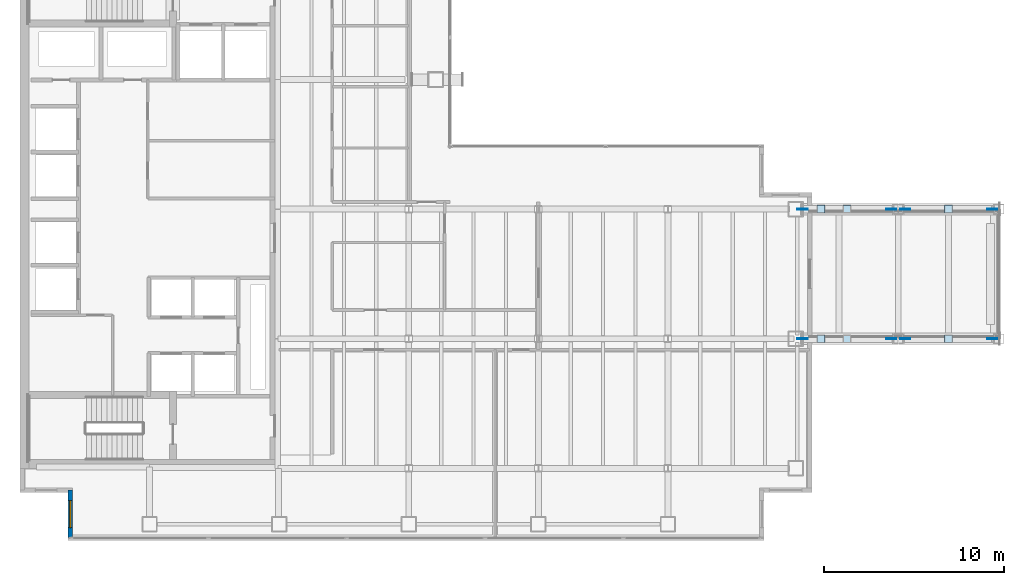
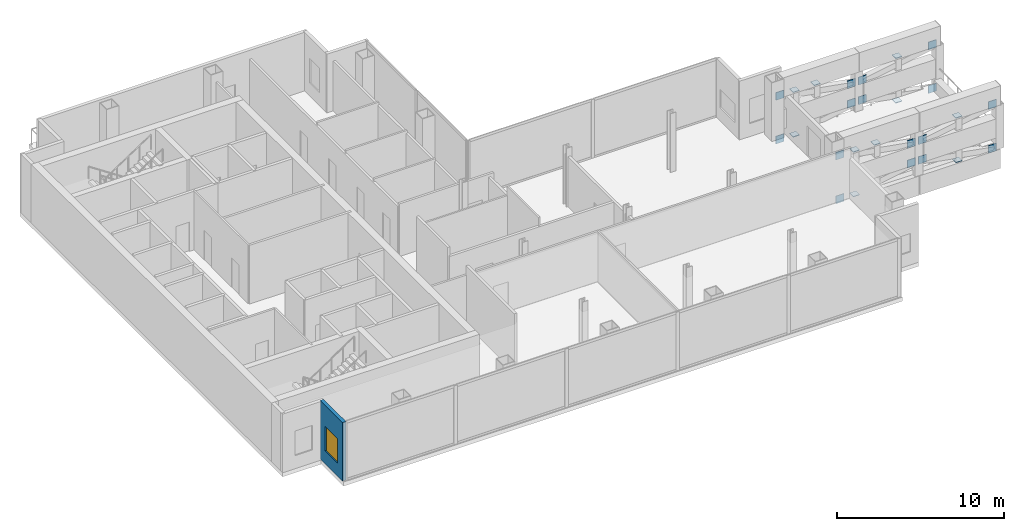
# One storey, part 15 of 20: 26 plates, 1 wall, 1 window, 1 opening.
"""IFC4 building model written with IfcOpenShell, lengths in metres."""

from ifc_helpers import new_model, si_unit, direction, frame, frame_2d, origin, origin_2d, place, context, subcontext, project, spatial, rectangle, extrude, material, layer, layer_set, type_object, element, fill, save


model = new_model("IFC4")

# Units and contexts
model_context = context("Model", 3, precision=1e-05, world=origin(), true_north=direction((0.0, 1.0)))
body_context = subcontext(model_context, "Body", "Model", "MODEL_VIEW")
ifc_project = project(units=[si_unit("LENGTHUNIT", "METRE"), si_unit("AREAUNIT", "SQUARE_METRE"), si_unit("VOLUMEUNIT", "CUBIC_METRE"), si_unit("PLANEANGLEUNIT", "RADIAN"), si_unit("MASSUNIT", "GRAM", prefix="KILO")], contexts=[model_context])

# Site, building, storey
site_placement = place(None, origin())
site = spatial("IfcSite", under=ifc_project, at=site_placement, CompositionType="ELEMENT")
building_placement = place(site_placement, origin())
building = spatial("IfcBuilding", under=site, at=building_placement, Name="Cobrela Telecom Tower", CompositionType="ELEMENT")
storey_placement = place(building_placement, frame((0.0, 0.0, 168.699951171875)))
storey = spatial("IfcBuildingStorey", under=building, at=storey_placement, Name="L42", CompositionType="ELEMENT", Elevation=168.699951171875)

# Plates
ifc_material_1 = material(Name="Steel ASTM A572 Grade 50", Category="steel")
ifc_layer_1 = layer(ifc_material_1, 0.0458984375)
ifc_layer_set_1 = layer_set([ifc_layer_1], Name="Steel ASTM A572 Grade 50")
plate_type = type_object("IfcPlateType", Name="PLT-NODE-ND8", PredefinedType="USERDEFINED", material=ifc_layer_set_1)
for number, where, z_axis, x_axis, name in (
    (1, (43.47998046875, 14.39990234375, -0.60986328125), (0.0, 0.0, 1.0), (1.0, 0.0, 0.0), "Steel node plate PLT-MBR-SP-WEB-1-1-1-0"),
    (2, (48.419921875, 14.39990234375, 0.27001953125), (0.0, 0.0, 1.0), (1.0, 0.0, 0.0), "Steel node plate PLT-MBR-SP-WEB-1-1-1-1"),
    (3, (48.419921875, 14.39990234375, 1.7099609375), (0.0, 0.0, 1.0), (-1.0, 0.0, 0.0), "Steel node plate PLT-MBR-SP-WEB-1-1-2-0"),
    (4, (43.47998046875, 14.39990234375, 2.590087890625), (0.0, 0.0, 1.0), (-1.0, 0.0, 0.0), "Steel node plate PLT-MBR-SP-WEB-1-1-2-1"),
    (5, (54.02001953125, 14.39990234375, -0.60986328125), (0.0, 0.0, 1.0), (-1.0, 0.0, 0.0), "Steel node plate PLT-MBR-SP-WEB-1-2-1-0"),
    (6, (49.179931640625, 14.39990234375, 0.27001953125), (0.0, 0.0, 1.0), (-1.0, 0.0, 0.0), "Steel node plate PLT-MBR-SP-WEB-1-2-1-1"),
    (7, (49.179931640625, 14.39990234375, 1.7099609375), (0.0, 0.0, 1.0), (1.0, 0.0, 0.0), "Steel node plate PLT-MBR-SP-WEB-1-2-2-0"),
    (8, (54.02001953125, 14.39990234375, 2.590087890625), (0.0, 0.0, 1.0), (1.0, 0.0, 0.0), "Steel node plate PLT-MBR-SP-WEB-1-2-2-1"),
):
    element("IfcPlate", number, at=place(storey_placement, frame(where, z_axis=z_axis, x_axis=x_axis)), inside=storey, type_object=plate_type, Name=name, ObjectType="GUSSET PLATE", PredefinedType="USERDEFINED", context=body_context, shape_type="SweptSolid", body=[
        extrude(rectangle(XDim=0.56005859375, YDim=0.044921875, at=origin_2d()), origin(), (0.0, 0.0, 1.0), 0.56005859375),
    ])
for number, where, z_axis, x_axis, name in (
    (9, (45.949951171875, 14.39990234375, 2.877685546875), (0.0, 0.0, 1.0), (1.0, 0.0, 0.0), "Steel node plate PLT-MBR-SP-POST-1-1-1"),
    (10, (51.60009765625, 14.39990234375, -0.38232421875), (0.0, 0.0, 1.0), (1.0, 0.0, 0.0), "Steel node plate PLT-MBR-SP-POST-1-2-0"),
    (11, (51.60009765625, 14.39990234375, 2.877685546875), (0.0, 0.0, 1.0), (1.0, 0.0, 0.0), "Steel node plate PLT-MBR-SP-POST-1-2-1"),
    (12, (44.5, 14.39990234375, -0.38232421875), (0.0, 0.0, 1.0), (1.0, 0.0, 0.0), "Steel node plate PLT-MBR-SP-POST-1-3-0"),
    (13, (44.5, 14.39990234375, 2.877685546875), (0.0, 0.0, 1.0), (1.0, 0.0, 0.0), "Steel node plate PLT-MBR-SP-POST-1-3-1"),
):
    element("IfcPlate", number, at=place(storey_placement, frame(where, z_axis=z_axis, x_axis=x_axis)), inside=storey, type_object=plate_type, Name=name, ObjectType="GUSSET PLATE", PredefinedType="USERDEFINED", context=body_context, shape_type="SweptSolid", body=[
        extrude(rectangle(XDim=0.43994140625, YDim=0.43994140625, at=origin_2d()), origin(), (0.0, 0.0, 1.0), 0.044921875),
    ])
for number, where, z_axis, x_axis, name in (
    (14, (43.47998046875, 21.60009765625, -0.60986328125), (0.0, 0.0, 1.0), (1.0, 0.0, 0.0), "Steel node plate PLT-MBR-SP-WEB-2-1-1-0"),
    (15, (48.419921875, 21.60009765625, 0.27001953125), (0.0, 0.0, 1.0), (1.0, 0.0, 0.0), "Steel node plate PLT-MBR-SP-WEB-2-1-1-1"),
    (16, (48.419921875, 21.60009765625, 1.7099609375), (0.0, 0.0, 1.0), (-1.0, 0.0, 0.0), "Steel node plate PLT-MBR-SP-WEB-2-1-2-0"),
    (17, (43.47998046875, 21.60009765625, 2.590087890625), (0.0, 0.0, 1.0), (-1.0, 0.0, 0.0), "Steel node plate PLT-MBR-SP-WEB-2-1-2-1"),
    (18, (54.02001953125, 21.60009765625, -0.60986328125), (0.0, 0.0, 1.0), (-1.0, 0.0, 0.0), "Steel node plate PLT-MBR-SP-WEB-2-2-1-0"),
    (19, (49.179931640625, 21.60009765625, 0.27001953125), (0.0, 0.0, 1.0), (-1.0, 0.0, 0.0), "Steel node plate PLT-MBR-SP-WEB-2-2-1-1"),
    (20, (49.179931640625, 21.60009765625, 1.7099609375), (0.0, 0.0, 1.0), (1.0, 0.0, 0.0), "Steel node plate PLT-MBR-SP-WEB-2-2-2-0"),
    (21, (54.02001953125, 21.60009765625, 2.590087890625), (0.0, 0.0, 1.0), (1.0, 0.0, 0.0), "Steel node plate PLT-MBR-SP-WEB-2-2-2-1"),
):
    element("IfcPlate", number, at=place(storey_placement, frame(where, z_axis=z_axis, x_axis=x_axis)), inside=storey, type_object=plate_type, Name=name, ObjectType="GUSSET PLATE", PredefinedType="USERDEFINED", context=body_context, shape_type="SweptSolid", body=[
        extrude(rectangle(XDim=0.56005859375, YDim=0.044921875, at=origin_2d()), origin(), (0.0, 0.0, 1.0), 0.56005859375),
    ])
for number, where, z_axis, x_axis, name in (
    (22, (45.949951171875, 21.60009765625, 2.877685546875), (0.0, 0.0, 1.0), (1.0, 0.0, 0.0), "Steel node plate PLT-MBR-SP-POST-2-1-1"),
    (23, (51.60009765625, 21.60009765625, -0.38232421875), (0.0, 0.0, 1.0), (1.0, 0.0, 0.0), "Steel node plate PLT-MBR-SP-POST-2-2-0"),
    (24, (51.60009765625, 21.60009765625, 2.877685546875), (0.0, 0.0, 1.0), (1.0, 0.0, 0.0), "Steel node plate PLT-MBR-SP-POST-2-2-1"),
    (25, (44.5, 21.60009765625, -0.38232421875), (0.0, 0.0, 1.0), (1.0, 0.0, 0.0), "Steel node plate PLT-MBR-SP-POST-2-3-0"),
    (26, (44.5, 21.60009765625, 2.877685546875), (0.0, 0.0, 1.0), (1.0, 0.0, 0.0), "Steel node plate PLT-MBR-SP-POST-2-3-1"),
):
    element("IfcPlate", number, at=place(storey_placement, frame(where, z_axis=z_axis, x_axis=x_axis)), inside=storey, type_object=plate_type, Name=name, ObjectType="GUSSET PLATE", PredefinedType="USERDEFINED", context=body_context, shape_type="SweptSolid", body=[
        extrude(rectangle(XDim=0.43994140625, YDim=0.43994140625, at=origin_2d()), origin(), (0.0, 0.0, 1.0), 0.044921875),
    ])

# Wall, opening, window
ifc_material_2 = material(Name="Concrete C40/50", Category="concrete")
ifc_layer_2 = layer(ifc_material_2, 0.239990234375)
ifc_layer_set_2 = layer_set([ifc_layer_2], Name="Concrete C40/50")
wall_type = type_object("IfcWallType", Name="WALL-EXT-300", PredefinedType="STANDARD", material=ifc_layer_set_2)
wall_placement = place(storey_placement, frame((2.7900390625, 3.320068359375, 0.0), z_axis=(0.0, 0.0, 1.0), x_axis=(0.0, 1.0, 0.0)))
wall = element("IfcWall", 27, at=wall_placement, inside=storey, type_object=wall_type, Name="L42 Insulated Facade Wall 01", PredefinedType="STANDARD", context=body_context, shape_type="SweptSolid", body=[
    extrude(rectangle(XDim=2.669921875, YDim=0.239990234375, at=frame_2d((1.3349609375, 0.0))), origin(), (0.0, 0.0, 1.0), 4.2900390625),
])
opening_placement = place(wall_placement, frame((0.5849609375, 0.0, 0.949951171875)))
opening = element("IfcOpeningElement", 28, at=opening_placement, cuts=wall, Name="Opening WN-45", PredefinedType="OPENING", context=body_context, shape_type="SweptSolid", body=[
    extrude(rectangle(XDim=1.5, YDim=1.800048828125, at=frame_2d((0.75, 0.89990234375))), frame((0.0, 0.1318359375, 0.0), z_axis=(0.0, -1.0, 0.0), x_axis=(1.0, 0.0, 0.0)), (0.0, 0.0, 1.0), 0.263916015625),
])
ifc_material_3 = material(Name="Solar-Control Bronze Low-E Glass", Category="glass")
window_type = type_object("IfcWindowType", Name="WIN-MOD-1500", PartitioningType="SINGLE_PANEL", PredefinedType="WINDOW", material=ifc_material_3)
window_placement = place(opening_placement, origin())
window = element("IfcWindow", 29, at=window_placement, inside=storey, type_object=window_type, Name="L42 Corner Notch Facade Window 200", OverallHeight=1.800048828125, OverallWidth=1.5, PartitioningType="SINGLE_PANEL", PredefinedType="WINDOW", context=body_context, shape_type="SweptSolid", body=[
    extrude(rectangle(XDim=1.5, YDim=1.800048828125, at=frame_2d((0.75, 0.89990234375))), frame((0.0, 0.030029296875, 0.0), z_axis=(0.0, -1.0, 0.0), x_axis=(1.0, 0.0, 0.0)), (0.0, 0.0, 1.0), 0.06005859375),
])
fill(opening, window)

save(model, "model.ifc")
